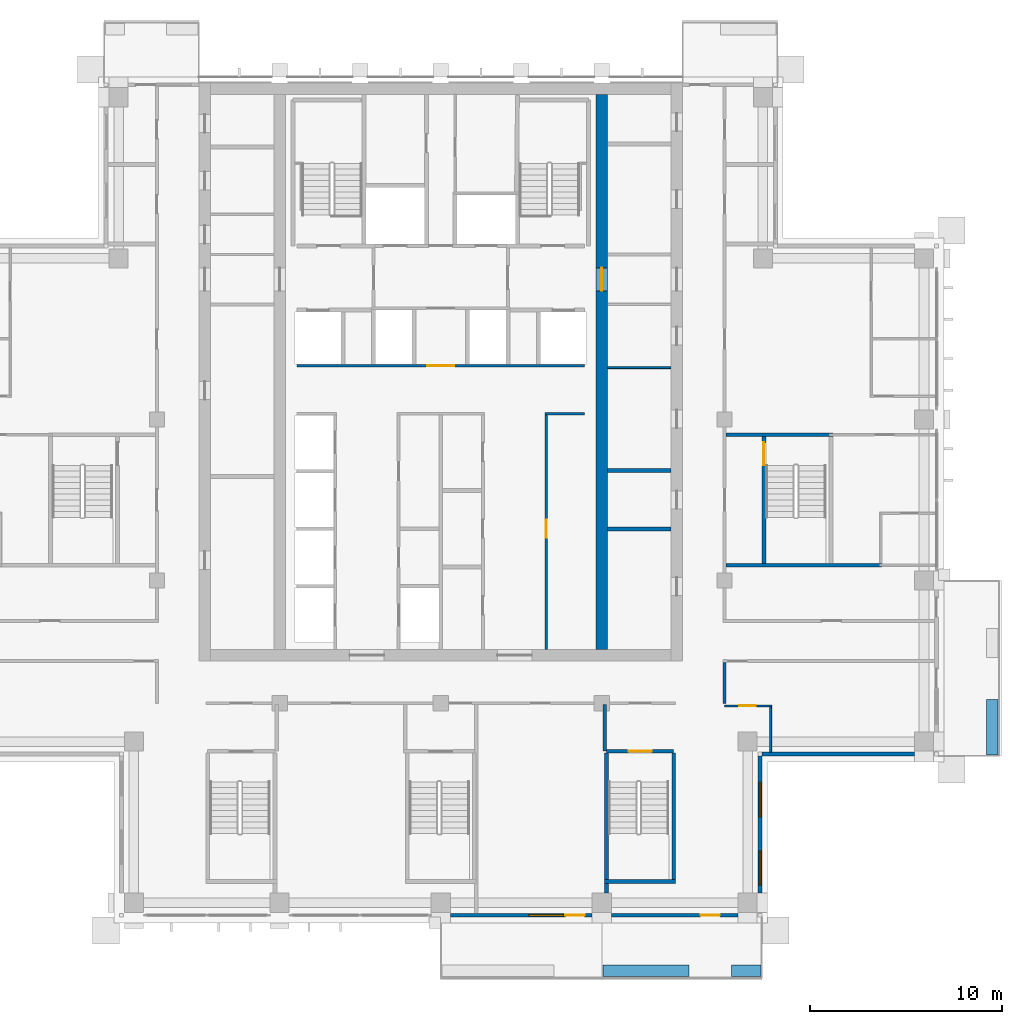
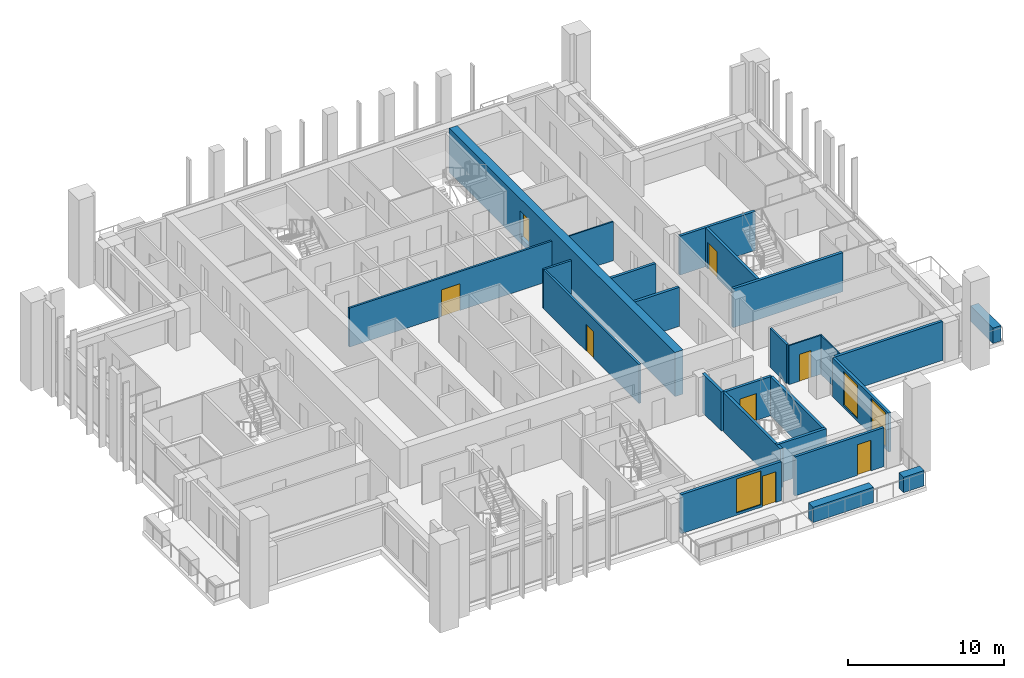
# One storey, part 10 of 18: 25 walls, 8 doors, 3 windows, 11 openings.
"""IFC4 building model written with IfcOpenShell, lengths in metres."""

from ifc_helpers import new_model, si_unit, direction, frame, frame_2d, origin, place, context, subcontext, project, spatial, rectangle, extrude, material, layer, layer_set, type_object, element, fill, save


model = new_model("IFC4")

# Units and contexts
model_context = context("Model", 3, precision=1e-05, world=origin(), true_north=direction((0.0, 1.0)))
body_context = subcontext(model_context, "Body", "Model", "MODEL_VIEW")
ifc_project = project(units=[si_unit("LENGTHUNIT", "METRE"), si_unit("AREAUNIT", "SQUARE_METRE"), si_unit("VOLUMEUNIT", "CUBIC_METRE"), si_unit("PLANEANGLEUNIT", "RADIAN"), si_unit("MASSUNIT", "GRAM", prefix="KILO")], contexts=[model_context])

# Site, building, storey
site_placement = place(None, origin())
site = spatial("IfcSite", under=ifc_project, at=site_placement, CompositionType="ELEMENT")
building_placement = place(site_placement, origin())
building = spatial("IfcBuilding", under=site, at=building_placement, Name="Vermilion Ogive Tower", CompositionType="ELEMENT")
storey_placement = place(building_placement, frame((0.0, 0.0, 185.89990234375)))
storey = spatial("IfcBuildingStorey", under=building, at=storey_placement, Name="L48", CompositionType="ELEMENT", Elevation=185.89990234375)

# Wall, opening, door
ifc_material_1 = material(Name="Concrete B60", Category="concrete")
ifc_layer_1 = layer(ifc_material_1, 0.60009765625)
ifc_layer_set_1 = layer_set([ifc_layer_1], Name="Core wall 600 B60")
wall_type_1 = type_object("IfcWallType", Name="Core wall 600 B60", PredefinedType="SHEAR", material=ifc_layer_set_1)
wall_1_placement = place(storey_placement, frame((8.39990234375, -7.800048828125, -0.39990234375), z_axis=(0.0, 0.0, 1.0), x_axis=(0.0, 1.0, 0.0)))
wall_1 = element("IfcWall", 1, at=wall_1_placement, inside=storey, type_object=wall_type_1, Name="L48-CORE-WEB2", PredefinedType="SHEAR", context=body_context, shape_type="SweptSolid", body=[
    extrude(rectangle(XDim=28.949951171875, YDim=0.60009765625, at=frame_2d((14.47509765625, 0.0))), origin(), (0.0, 0.0, 1.0), 3.449951171875),
])
opening_1_placement = place(wall_1_placement, frame((18.699951171875, 0.0, 0.39990234375)))
opening_1 = element("IfcOpeningElement", 2, at=opening_1_placement, cuts=wall_1, Name="Opening DAO014", PredefinedType="OPENING", context=body_context, shape_type="SweptSolid", body=[
    extrude(rectangle(XDim=1.199951171875, YDim=2.10009765625, at=frame_2d((0.60009765625, 1.050048828125))), frame((0.0, 0.31005859375, 0.0), z_axis=(0.0, -1.0, 0.0), x_axis=(1.0, 0.0, 0.0)), (0.0, 0.0, 1.0), 0.6201171875),
])
ifc_material_2 = material(Name="Timber door leaf", Category="wood")
door_type_1 = type_object("IfcDoorType", Name="Link door 1200 x 2100 FD60S", OperationType="SINGLE_SWING_LEFT", PredefinedType="DOOR", material=ifc_material_2)
door_1_placement = place(opening_1_placement, origin())
door_1 = element("IfcDoor", 3, at=door_1_placement, inside=storey, type_object=door_type_1, Name="L48-CKE-XW", OperationType="SINGLE_SWING_LEFT", OverallHeight=2.10009765625, OverallWidth=1.199951171875, PredefinedType="DOOR", context=body_context, shape_type="SweptSolid", body=[
    extrude(rectangle(XDim=1.199951171875, YDim=2.10009765625, at=frame_2d((0.60009765625, 1.050048828125))), frame((0.0, 0.02490234375, 0.0), z_axis=(0.0, -1.0, 0.0), x_axis=(1.0, 0.0, 0.0)), (0.0, 0.0, 1.0), 0.050048828125),
])
fill(opening_1, door_1)

ifc_material_3 = material(Name="Gypsum board partition on steel studs", Category="steel")
ifc_layer_2 = layer(ifc_material_3, 0.10009765625)
ifc_layer_set_2 = layer_set([ifc_layer_2], Name="Partition 100 bath")
wall_type_2 = type_object("IfcWallType", Name="Partition 100 bath", PredefinedType="PARTITIONING", material=ifc_layer_set_2)
wall_2_placement = place(storey_placement, frame((14.800048828125, -10.739990234375, 0.0), z_axis=(0.0, 0.0, 1.0), x_axis=(1.0, 0.0, 0.0)))
wall_2 = element("IfcWall", 4, at=wall_2_placement, inside=storey, type_object=wall_type_2, Name="L48-W-W005", PredefinedType="PARTITIONING", context=body_context, shape_type="SweptSolid", body=[
    extrude(rectangle(XDim=2.449951171875, YDim=0.10009765625, at=frame_2d((1.22509765625, 0.0))), origin(), (0.0, 0.0, 1.0), 3.050048828125),
])
opening_2_placement = place(wall_2_placement, frame((0.77490234375, 0.0, 0.0)))
opening_2 = element("IfcOpeningElement", 5, at=opening_2_placement, cuts=wall_2, Name="Opening D4G2012", PredefinedType="OPENING", context=body_context, shape_type="SweptSolid", body=[
    extrude(rectangle(XDim=0.85009765625, YDim=2.10009765625, at=frame_2d((0.425048828125, 1.050048828125))), frame((0.0, 0.06005859375, 0.0), z_axis=(0.0, -1.0, 0.0), x_axis=(1.0, 0.0, 0.0)), (0.0, 0.0, 1.0), 0.1201171875),
])
ifc_material_4 = material(Name="Timber door leaf", Category="wood")
door_type_2 = type_object("IfcDoorType", Name="Bath door 850 x 2100 FD30", OperationType="SINGLE_SWING_LEFT", PredefinedType="DOOR", material=ifc_material_4)
door_2_placement = place(opening_2_placement, origin())
door_2 = element("IfcDoor", 6, at=door_2_placement, inside=storey, type_object=door_type_2, Name="L48-D-D012", OperationType="SINGLE_SWING_RIGHT", OverallHeight=2.10009765625, OverallWidth=0.85009765625, PredefinedType="DOOR", context=body_context, shape_type="SweptSolid", body=[
    extrude(rectangle(XDim=0.85009765625, YDim=2.10009765625, at=frame_2d((0.425048828125, 1.050048828125))), frame((0.0, 0.02490234375, 0.0), z_axis=(0.0, -1.0, 0.0), x_axis=(1.0, 0.0, 0.0)), (0.0, 0.0, 1.0), 0.050048828125),
])
fill(opening_2, door_2)

# Walls
wall_3_placement = place(storey_placement, frame((17.199951171875, -13.14990234375, 0.0), z_axis=(0.0, 0.0, 1.0), x_axis=(0.0, 1.0, 0.0)))
element("IfcWall", 7, at=wall_3_placement, inside=storey, type_object=wall_type_2, Name="L48-W-W044", PredefinedType="PARTITIONING", context=body_context, shape_type="SweptSolid", body=[
    extrude(rectangle(XDim=2.35986328125, YDim=0.10009765625, at=frame_2d((1.179931640625, 0.0))), origin(), (0.0, 0.0, 1.0), 3.050048828125),
])
wall_4_placement = place(storey_placement, frame((8.700927734375, 6.904052734375, 0.0), z_axis=(0.0, 0.0, 1.0), x_axis=(1.0, 0.0, 0.0)))
element("IfcWall", 8, at=wall_4_placement, inside=storey, type_object=wall_type_2, Name="L48-CKE-W-W003", PredefinedType="PARTITIONING", context=body_context, shape_type="SweptSolid", body=[
    extrude(rectangle(XDim=3.298095703125, YDim=0.10009765625, at=frame_2d((1.64892578125, 0.0))), origin(), (0.0, 0.0, 1.0), 3.050048828125),
])
ifc_material_5 = material(Name="Gypsum board partition on steel studs", Category="steel")
ifc_layer_3 = layer(ifc_material_5, 0.14990234375)
ifc_layer_set_3 = layer_set([ifc_layer_3], Name="Partition 150 corridor")
wall_type_3 = type_object("IfcWallType", Name="Partition 150 corridor", PredefinedType="PARTITIONING", material=ifc_layer_set_3)
wall_5_placement = place(storey_placement, frame((14.800048828125, -10.60009765625, 0.0), z_axis=(0.0, 0.0, 1.0), x_axis=(0.0, 1.0, 0.0)))
element("IfcWall", 9, at=wall_5_placement, inside=storey, type_object=wall_type_3, Name="L48-W-W041", PredefinedType="PARTITIONING", context=body_context, shape_type="SweptSolid", body=[
    extrude(rectangle(XDim=2.125, YDim=0.14990234375, at=frame_2d((1.0625, 0.0))), origin(), (0.0, 0.0, 1.0), 3.050048828125),
])
wall_6_placement = place(storey_placement, frame((5.425048828125, 4.5, 0.0), z_axis=(0.0, 0.0, 1.0), x_axis=(1.0, 0.0, 0.0)))
element("IfcWall", 10, at=wall_6_placement, inside=storey, type_object=wall_type_3, Name="L48-CK-W-W010", PredefinedType="PARTITIONING", context=body_context, shape_type="SweptSolid", body=[
    extrude(rectangle(XDim=2.074951171875, YDim=0.14990234375, at=frame_2d((1.03759765625, 0.0))), origin(), (0.0, 0.0, 1.0), 3.050048828125),
])

# Wall, opening, door
wall_7_placement = place(storey_placement, frame((-7.5, 7.0, 0.0), z_axis=(0.0, 0.0, 1.0), x_axis=(1.0, 0.0, 0.0)))
wall_7 = element("IfcWall", 11, at=wall_7_placement, inside=storey, type_object=wall_type_3, Name="L48-CK-W-W011", PredefinedType="PARTITIONING", context=body_context, shape_type="SweptSolid", body=[
    extrude(rectangle(XDim=15.0, YDim=0.14990234375, at=frame_2d((7.5, 0.0))), origin(), (0.0, 0.0, 1.0), 3.050048828125),
])
opening_3_placement = place(wall_7_placement, frame((6.800048828125, 0.0, 0.0)))
opening_3 = element("IfcOpeningElement", 12, at=opening_3_placement, cuts=wall_7, Name="Opening DAA421", PredefinedType="OPENING", context=body_context, shape_type="SweptSolid", body=[
    extrude(rectangle(XDim=1.39990234375, YDim=2.10009765625, at=frame_2d((0.699951171875, 1.050048828125))), frame((0.0, 0.0849609375, 0.0), z_axis=(0.0, -1.0, 0.0), x_axis=(1.0, 0.0, 0.0)), (0.0, 0.0, 1.0), 0.169921875),
])
ifc_material_6 = material(Name="Timber door leaf", Category="wood")
door_type_3 = type_object("IfcDoorType", Name="Lobby door 1400 x 2100 FD60S", OperationType="SINGLE_SWING_LEFT", PredefinedType="DOOR", material=ifc_material_6)
door_3_placement = place(opening_3_placement, origin())
door_3 = element("IfcDoor", 13, at=door_3_placement, inside=storey, type_object=door_type_3, Name="L48-CK-D-D016", OperationType="SINGLE_SWING_RIGHT", OverallHeight=2.10009765625, OverallWidth=1.39990234375, PredefinedType="DOOR", context=body_context, shape_type="SweptSolid", body=[
    extrude(rectangle(XDim=1.39990234375, YDim=2.10009765625, at=frame_2d((0.699951171875, 1.050048828125))), frame((0.0, 0.02490234375, 0.0), z_axis=(0.0, -1.0, 0.0), x_axis=(1.0, 0.0, 0.0)), (0.0, 0.0, 1.0), 0.050048828125),
])
fill(opening_3, door_3)

wall_8_placement = place(storey_placement, frame((5.5, -7.799072265625, 0.0), z_axis=(0.0, 0.0, 1.0), x_axis=(0.0, 1.0, 0.0)))
wall_8 = element("IfcWall", 14, at=wall_8_placement, inside=storey, type_object=wall_type_3, Name="L48-CK-W-W038", PredefinedType="PARTITIONING", context=body_context, shape_type="SweptSolid", body=[
    extrude(rectangle(XDim=12.22412109375, YDim=0.14990234375, at=frame_2d((6.112060546875, 0.0))), origin(), (0.0, 0.0, 1.0), 3.050048828125),
])
opening_4_placement = place(wall_8_placement, frame((5.823974609375, 0.0, 0.0)))
opening_4 = element("IfcOpeningElement", 15, at=opening_4_placement, cuts=wall_8, Name="Opening DAA429", PredefinedType="OPENING", context=body_context, shape_type="SweptSolid", body=[
    extrude(rectangle(XDim=0.949951171875, YDim=2.10009765625, at=frame_2d((0.47509765625, 1.050048828125))), frame((0.0, 0.0849609375, 0.0), z_axis=(0.0, -1.0, 0.0), x_axis=(1.0, 0.0, 0.0)), (0.0, 0.0, 1.0), 0.169921875),
])
ifc_material_7 = material(Name="Timber door leaf", Category="wood")
door_type_4 = type_object("IfcDoorType", Name="Service door 950 x 2100 FD60", OperationType="SINGLE_SWING_LEFT", PredefinedType="DOOR", material=ifc_material_7)
door_4_placement = place(opening_4_placement, origin())
door_4 = element("IfcDoor", 16, at=door_4_placement, inside=storey, type_object=door_type_4, Name="L48-CK-D-D011", OperationType="SINGLE_SWING_LEFT", OverallHeight=2.10009765625, OverallWidth=0.949951171875, PredefinedType="DOOR", context=body_context, shape_type="SweptSolid", body=[
    extrude(rectangle(XDim=0.949951171875, YDim=2.10009765625, at=frame_2d((0.47509765625, 1.050048828125))), frame((0.0, 0.02490234375, 0.0), z_axis=(0.0, -1.0, 0.0), x_axis=(1.0, 0.0, 0.0)), (0.0, 0.0, 1.0), 0.050048828125),
])
fill(opening_4, door_4)

# Walls
ifc_material_8 = material(Name="Gypsum board partition on steel studs", Category="steel")
ifc_layer_4 = layer(ifc_material_8, 0.199951171875)
ifc_layer_set_4 = layer_set([ifc_layer_4], Name="Partition 200 party")
wall_type_4 = type_object("IfcWallType", Name="Partition 200 party", PredefinedType="PARTITIONING", material=ifc_layer_set_4)
wall_9_placement = place(storey_placement, frame((8.550048828125, -13.10009765625, 0.0), z_axis=(0.0, 0.0, 1.0), x_axis=(0.0, 1.0, 0.0)))
element("IfcWall", 17, at=wall_9_placement, inside=storey, type_object=wall_type_4, Name="L48-W-W040", PredefinedType="PARTITIONING", context=body_context, shape_type="SweptSolid", body=[
    extrude(rectangle(XDim=2.425048828125, YDim=0.199951171875, at=frame_2d((1.21240234375, 0.0))), origin(), (0.0, 0.0, 1.0), 3.050048828125),
])
for number, where, z_axis, x_axis, name in (
    (18, (8.700927734375, -1.51904296875, 0.0), (0.0, 0.0, 1.0), (1.0, 0.0, 0.0), "L48-CKE-W-W001"),
    (19, (8.700927734375, 1.532958984375, 0.0), (0.0, 0.0, 1.0), (1.0, 0.0, 0.0), "L48-CKE-W-W002"),
):
    element("IfcWall", number, at=place(storey_placement, frame(where, z_axis=z_axis, x_axis=x_axis)), inside=storey, type_object=wall_type_4, Name=name, PredefinedType="PARTITIONING", context=body_context, shape_type="SweptSolid", body=[
        extrude(rectangle(XDim=3.298095703125, YDim=0.199951171875, at=frame_2d((1.64892578125, 0.0))), origin(), (0.0, 0.0, 1.0), 3.050048828125),
    ])

# Wall, opening, door
ifc_material_9 = material(Name="Concrete B60", Category="concrete")
ifc_layer_5 = layer(ifc_material_9, 0.199951171875)
ifc_layer_set_5 = layer_set([ifc_layer_5], Name="Stair shaft wall 200 Concrete B60")
wall_type_5 = type_object("IfcWallType", Name="Stair shaft wall 200 Concrete B60", PredefinedType="SOLIDWALL", material=ifc_layer_set_5)
wall_10_placement = place(storey_placement, frame((8.64990234375, -13.10009765625, 0.0), z_axis=(0.0, 0.0, 1.0), x_axis=(1.0, 0.0, 0.0)))
wall_10 = element("IfcWall", 20, at=wall_10_placement, inside=storey, type_object=wall_type_5, Name="L48-W-W004", PredefinedType="SOLIDWALL", context=body_context, shape_type="SweptSolid", body=[
    extrude(rectangle(XDim=3.5, YDim=0.199951171875, at=frame_2d((1.75, 0.0))), origin(), (0.0, 0.0, 1.0), 3.050048828125),
])
opening_5_placement = place(wall_10_placement, frame((1.150146484375, 0.0, 0.0)))
opening_5 = element("IfcOpeningElement", 21, at=opening_5_placement, cuts=wall_10, Name="Opening D4G2025", PredefinedType="OPENING", context=body_context, shape_type="SweptSolid", body=[
    extrude(rectangle(XDim=1.199951171875, YDim=2.10009765625, at=frame_2d((0.60009765625, 1.050048828125))), frame((0.0, 0.10986328125, 0.0), z_axis=(0.0, -1.0, 0.0), x_axis=(1.0, 0.0, 0.0)), (0.0, 0.0, 1.0), 0.219970703125),
])
ifc_material_10 = material(Name="Timber door leaf", Category="wood")
door_type_5 = type_object("IfcDoorType", Name="Stair door 1200 x 2100 FD60S", OperationType="SINGLE_SWING_LEFT", PredefinedType="DOOR", material=ifc_material_10)
door_5_placement = place(opening_5_placement, origin())
door_5 = element("IfcDoor", 22, at=door_5_placement, inside=storey, type_object=door_type_5, Name="L48-D-D025", OperationType="SINGLE_SWING_RIGHT", OverallHeight=2.10009765625, OverallWidth=1.199951171875, PredefinedType="DOOR", context=body_context, shape_type="SweptSolid", body=[
    extrude(rectangle(XDim=1.199951171875, YDim=2.10009765625, at=frame_2d((0.60009765625, 1.050048828125))), frame((0.0, 0.02490234375, 0.0), z_axis=(0.0, -1.0, 0.0), x_axis=(1.0, 0.0, 0.0)), (0.0, 0.0, 1.0), 0.050048828125),
])
fill(opening_5, door_5)

# Walls
wall_11_placement = place(storey_placement, frame((14.875, -3.39990234375, 0.0), z_axis=(0.0, 0.0, 1.0), x_axis=(1.0, 0.0, 0.0)))
element("IfcWall", 23, at=wall_11_placement, inside=storey, type_object=wall_type_5, Name="L48-W-W013", PredefinedType="SOLIDWALL", context=body_context, shape_type="SweptSolid", body=[
    extrude(rectangle(XDim=8.125, YDim=0.199951171875, at=frame_2d((4.0625, 0.0))), origin(), (0.0, 0.0, 1.0), 3.050048828125),
])
wall_12_placement = place(storey_placement, frame((14.875, 3.39990234375, 0.0), z_axis=(0.0, 0.0, 1.0), x_axis=(1.0, 0.0, 0.0)))
element("IfcWall", 24, at=wall_12_placement, inside=storey, type_object=wall_type_5, Name="L48-W-W019", PredefinedType="SOLIDWALL", context=body_context, shape_type="SweptSolid", body=[
    extrude(rectangle(XDim=5.574951171875, YDim=0.199951171875, at=frame_2d((2.78759765625, 0.0))), origin(), (0.0, 0.0, 1.0), 3.050048828125),
])

# Wall, opening, door
wall_13_placement = place(storey_placement, frame((16.85009765625, -3.300048828125, 0.0), z_axis=(0.0, 0.0, 1.0), x_axis=(0.0, 1.0, 0.0)))
wall_13 = element("IfcWall", 25, at=wall_13_placement, inside=storey, type_object=wall_type_5, Name="L48-W-W043", PredefinedType="SOLIDWALL", context=body_context, shape_type="SweptSolid", body=[
    extrude(rectangle(XDim=6.60009765625, YDim=0.199951171875, at=frame_2d((3.300048828125, 0.0))), origin(), (0.0, 0.0, 1.0), 3.050048828125),
])
opening_6_placement = place(wall_13_placement, frame((5.10009765625, 0.0, 0.0)))
opening_6 = element("IfcOpeningElement", 26, at=opening_6_placement, cuts=wall_13, Name="Opening D4G2027", PredefinedType="OPENING", context=body_context, shape_type="SweptSolid", body=[
    extrude(rectangle(XDim=1.199951171875, YDim=2.10009765625, at=frame_2d((0.60009765625, 1.050048828125))), frame((0.0, 0.10986328125, 0.0), z_axis=(0.0, -1.0, 0.0), x_axis=(1.0, 0.0, 0.0)), (0.0, 0.0, 1.0), 0.219970703125),
])
door_6_placement = place(opening_6_placement, origin())
door_6 = element("IfcDoor", 27, at=door_6_placement, inside=storey, type_object=door_type_5, Name="L48-D-D027", OperationType="SINGLE_SWING_LEFT", OverallHeight=2.10009765625, OverallWidth=1.199951171875, PredefinedType="DOOR", context=body_context, shape_type="SweptSolid", body=[
    extrude(rectangle(XDim=1.199951171875, YDim=2.10009765625, at=frame_2d((0.60009765625, 1.050048828125))), frame((0.0, 0.02490234375, 0.0), z_axis=(0.0, -1.0, 0.0), x_axis=(1.0, 0.0, 0.0)), (0.0, 0.0, 1.0), 0.050048828125),
])
fill(opening_6, door_6)

# Walls
wall_14_placement = place(storey_placement, frame((8.550048828125, -19.89990234375, 0.0), z_axis=(0.0, 0.0, 1.0), x_axis=(1.0, 0.0, 0.0)))
element("IfcWall", 28, at=wall_14_placement, inside=storey, type_object=wall_type_5, Name="L48-SW-ST5-S1", PredefinedType="SOLIDWALL", context=body_context, shape_type="SweptSolid", body=[
    extrude(rectangle(XDim=3.699951171875, YDim=0.199951171875, at=frame_2d((1.85009765625, 0.0))), origin(), (0.0, 0.0, 1.0), 3.050048828125),
])
wall_15_placement = place(storey_placement, frame((12.14990234375, -19.800048828125, 0.0), z_axis=(0.0, 0.0, 1.0), x_axis=(0.0, 1.0, 0.0)))
element("IfcWall", 29, at=wall_15_placement, inside=storey, type_object=wall_type_5, Name="L48-SW-ST5-E1", PredefinedType="SOLIDWALL", context=body_context, shape_type="SweptSolid", body=[
    extrude(rectangle(XDim=6.60009765625, YDim=0.199951171875, at=frame_2d((3.300048828125, 0.0))), origin(), (0.0, 0.0, 1.0), 3.050048828125),
])
wall_16_placement = place(storey_placement, frame((8.64990234375, -20.5, 0.0), z_axis=(0.0, 0.0, 1.0), x_axis=(0.0, 1.0, 0.0)))
element("IfcWall", 30, at=wall_16_placement, inside=storey, type_object=wall_type_5, Name="L48-SW-ST5-W1-A", PredefinedType="SOLIDWALL", context=body_context, shape_type="SweptSolid", body=[
    extrude(rectangle(XDim=7.298095703125, YDim=0.199951171875, at=frame_2d((3.64892578125, 0.0))), origin(), (0.0, 0.0, 1.0), 3.050048828125),
])
ifc_material_11 = material(Name="Concrete B40", Category="concrete")
ifc_layer_6 = layer(ifc_material_11, 0.60009765625)
ifc_layer_set_6 = layer_set([ifc_layer_6], Name="Structural planter")
wall_type_6 = type_object("IfcWallType", Name="Structural planter", PredefinedType="USERDEFINED", material=ifc_layer_set_6)
wall_17_placement = place(storey_placement, frame((8.4599609375, -24.550048828125, -0.039794921875), z_axis=(0.0, 0.0, 1.0), x_axis=(1.0, 0.0, 0.0)))
element("IfcWall", 31, at=wall_17_placement, inside=storey, type_object=wall_type_6, Name="Planter S04A1", ObjectType="PLANTER", PredefinedType="USERDEFINED", context=body_context, shape_type="SweptSolid", body=[
    extrude(rectangle(XDim=4.489990234375, YDim=0.60009765625, at=frame_2d((2.2451171875, 0.0))), origin(), (0.0, 0.0, 1.0), 1.199951171875),
])
wall_18_placement = place(storey_placement, frame((15.14990234375, -24.550048828125, -0.039794921875), z_axis=(0.0, 0.0, 1.0), x_axis=(1.0, 0.0, 0.0)))
element("IfcWall", 32, at=wall_18_placement, inside=storey, type_object=wall_type_6, Name="Planter S04A2", ObjectType="PLANTER", PredefinedType="USERDEFINED", context=body_context, shape_type="SweptSolid", body=[
    extrude(rectangle(XDim=1.5400390625, YDim=0.60009765625, at=frame_2d((0.77001953125, 0.0))), origin(), (0.0, 0.0, 1.0), 1.199951171875),
])
wall_19_placement = place(storey_placement, frame((28.75, -13.2900390625, -0.039794921875), z_axis=(0.0, 0.0, 1.0), x_axis=(0.0, 1.0, 0.0)))
element("IfcWall", 33, at=wall_19_placement, inside=storey, type_object=wall_type_6, Name="Planter E01A1", ObjectType="PLANTER", PredefinedType="USERDEFINED", context=body_context, shape_type="SweptSolid", body=[
    extrude(rectangle(XDim=2.89013671875, YDim=0.60009765625, at=frame_2d((1.445068359375, 0.0))), origin(), (0.0, 0.0, 1.0), 1.199951171875),
])

# Wall, openings, door, window
ifc_material_12 = material(Name="Aluminium window wall framing", Category="aluminium")
ifc_layer_7 = layer(ifc_material_12, 0.199951171875)
ifc_layer_set_7 = layer_set([ifc_layer_7], Name="Window wall")
wall_type_7 = type_object("IfcWallType", Name="Window wall", PredefinedType="STANDARD", material=ifc_layer_set_7)
wall_20_placement = place(storey_placement, frame((0.5, -21.64990234375, 0.0), z_axis=(0.0, 0.0, 1.0), x_axis=(1.0, 0.0, 0.0)))
wall_20 = element("IfcWall", 34, at=wall_20_placement, inside=storey, type_object=wall_type_7, Name="Window wall S3", PredefinedType="STANDARD", context=body_context, shape_type="SweptSolid", body=[
    extrude(rectangle(XDim=7.39990234375, YDim=0.199951171875, at=frame_2d((3.699951171875, 0.0))), origin(), (0.0, 0.0, 1.0), 3.050048828125),
])
opening_7_placement = place(wall_20_placement, frame((4.10009765625, 0.0, 0.199951171875)))
opening_7 = element("IfcOpeningElement", 35, at=opening_7_placement, cuts=wall_20, Name="Opening W1-S01", PredefinedType="OPENING", context=body_context, shape_type="SweptSolid", body=[
    extrude(rectangle(XDim=1.800048828125, YDim=2.64990234375, at=frame_2d((0.89990234375, 1.324951171875))), frame((0.0, 0.10986328125, 0.0), z_axis=(0.0, -1.0, 0.0), x_axis=(1.0, 0.0, 0.0)), (0.0, 0.0, 1.0), 0.219970703125),
])
opening_8_placement = place(wall_20_placement, frame((6.0, 0.0, 0.0)))
opening_8 = element("IfcOpeningElement", 36, at=opening_8_placement, cuts=wall_20, Name="Opening D1-S01", PredefinedType="OPENING", context=body_context, shape_type="SweptSolid", body=[
    extrude(rectangle(XDim=1.0, YDim=2.39990234375, at=frame_2d((0.5, 1.199951171875))), frame((0.0, 0.10986328125, 0.0), z_axis=(0.0, -1.0, 0.0), x_axis=(1.0, 0.0, 0.0)), (0.0, 0.0, 1.0), 0.219970703125),
])
ifc_material_13 = material(Name="Aluminium framed glazed door", Category="aluminium")
door_type_6 = type_object("IfcDoorType", Name="Balcony door D1", OperationType="SINGLE_SWING_LEFT", PredefinedType="DOOR", material=ifc_material_13)
door_7_placement = place(opening_8_placement, origin())
door_7 = element("IfcDoor", 37, at=door_7_placement, inside=storey, type_object=door_type_6, Name="Balcony door S01", OperationType="SINGLE_SWING_LEFT", OverallHeight=2.39990234375, OverallWidth=1.0, PredefinedType="DOOR", context=body_context, shape_type="SweptSolid", body=[
    extrude(rectangle(XDim=1.0, YDim=2.39990234375, at=frame_2d((0.5, 1.199951171875))), frame((0.0, 0.02490234375, 0.0), z_axis=(0.0, -1.0, 0.0), x_axis=(1.0, 0.0, 0.0)), (0.0, 0.0, 1.0), 0.050048828125),
])
fill(opening_8, door_7)
ifc_material_14 = material(Name="Aluminium framed double glazing", Category="aluminium")
window_type = type_object("IfcWindowType", Name="Guest window W1", PartitioningType="SINGLE_PANEL", PredefinedType="WINDOW", material=ifc_material_14)
window_1_placement = place(opening_7_placement, origin())
window_1 = element("IfcWindow", 38, at=window_1_placement, inside=storey, type_object=window_type, Name="Window S01", OverallHeight=2.64990234375, OverallWidth=1.800048828125, PartitioningType="SINGLE_PANEL", PredefinedType="WINDOW", context=body_context, shape_type="SweptSolid", body=[
    extrude(rectangle(XDim=1.800048828125, YDim=2.64990234375, at=frame_2d((0.89990234375, 1.324951171875))), frame((0.0, 0.030029296875, 0.0), z_axis=(0.0, -1.0, 0.0), x_axis=(1.0, 0.0, 0.0)), (0.0, 0.0, 1.0), 0.06005859375),
])
fill(opening_7, window_1)

# Wall, opening, door
wall_21_placement = place(storey_placement, frame((8.89990234375, -21.64990234375, 0.0), z_axis=(0.0, 0.0, 1.0), x_axis=(1.0, 0.0, 0.0)))
wall_21 = element("IfcWall", 39, at=wall_21_placement, inside=storey, type_object=wall_type_7, Name="Window wall S4", PredefinedType="STANDARD", context=body_context, shape_type="SweptSolid", body=[
    extrude(rectangle(XDim=6.60009765625, YDim=0.199951171875, at=frame_2d((3.300048828125, 0.0))), origin(), (0.0, 0.0, 1.0), 3.050048828125),
])
opening_9_placement = place(wall_21_placement, frame((4.64990234375, 0.0, 0.0)))
opening_9 = element("IfcOpeningElement", 40, at=opening_9_placement, cuts=wall_21, Name="Opening D1-S03K", PredefinedType="OPENING", context=body_context, shape_type="SweptSolid", body=[
    extrude(rectangle(XDim=1.0, YDim=2.39990234375, at=frame_2d((0.5, 1.199951171875))), frame((0.0, 0.10986328125, 0.0), z_axis=(0.0, -1.0, 0.0), x_axis=(1.0, 0.0, 0.0)), (0.0, 0.0, 1.0), 0.219970703125),
])
door_8_placement = place(opening_9_placement, origin())
door_8 = element("IfcDoor", 41, at=door_8_placement, inside=storey, type_object=door_type_6, Name="Balcony door S03K", OperationType="SINGLE_SWING_LEFT", OverallHeight=2.39990234375, OverallWidth=1.0, PredefinedType="DOOR", context=body_context, shape_type="SweptSolid", body=[
    extrude(rectangle(XDim=1.0, YDim=2.39990234375, at=frame_2d((0.5, 1.199951171875))), frame((0.0, 0.02490234375, 0.0), z_axis=(0.0, -1.0, 0.0), x_axis=(1.0, 0.0, 0.0)), (0.0, 0.0, 1.0), 0.050048828125),
])
fill(opening_9, door_8)

# Wall, openings, windows
wall_22_placement = place(storey_placement, frame((16.64990234375, -20.5, 0.0), z_axis=(0.0, 0.0, 1.0), x_axis=(0.0, 1.0, 0.0)))
wall_22 = element("IfcWall", 42, at=wall_22_placement, inside=storey, type_object=wall_type_7, Name="Window wall X11", PredefinedType="STANDARD", context=body_context, shape_type="SweptSolid", body=[
    extrude(rectangle(XDim=7.14990234375, YDim=0.199951171875, at=frame_2d((3.574951171875, 0.0))), origin(), (0.0, 0.0, 1.0), 3.050048828125),
])
opening_10_placement = place(wall_22_placement, frame((0.39990234375, 0.0, 0.199951171875)))
opening_10 = element("IfcOpeningElement", 43, at=opening_10_placement, cuts=wall_22, Name="Opening W1-X195", PredefinedType="OPENING", context=body_context, shape_type="SweptSolid", body=[
    extrude(rectangle(XDim=1.800048828125, YDim=2.64990234375, at=frame_2d((0.89990234375, 1.324951171875))), frame((0.0, 0.10986328125, 0.0), z_axis=(0.0, -1.0, 0.0), x_axis=(1.0, 0.0, 0.0)), (0.0, 0.0, 1.0), 0.219970703125),
])
opening_11_placement = place(wall_22_placement, frame((3.97509765625, 0.0, 0.199951171875)))
opening_11 = element("IfcOpeningElement", 44, at=opening_11_placement, cuts=wall_22, Name="Opening W1-X196", PredefinedType="OPENING", context=body_context, shape_type="SweptSolid", body=[
    extrude(rectangle(XDim=1.800048828125, YDim=2.64990234375, at=frame_2d((0.89990234375, 1.324951171875))), frame((0.0, 0.10986328125, 0.0), z_axis=(0.0, -1.0, 0.0), x_axis=(1.0, 0.0, 0.0)), (0.0, 0.0, 1.0), 0.219970703125),
])
window_2_placement = place(opening_10_placement, origin())
window_2 = element("IfcWindow", 45, at=window_2_placement, inside=storey, type_object=window_type, Name="Window X195", OverallHeight=2.64990234375, OverallWidth=1.800048828125, PartitioningType="SINGLE_PANEL", PredefinedType="WINDOW", context=body_context, shape_type="SweptSolid", body=[
    extrude(rectangle(XDim=1.800048828125, YDim=2.64990234375, at=frame_2d((0.89990234375, 1.324951171875))), frame((0.0, 0.030029296875, 0.0), z_axis=(0.0, -1.0, 0.0), x_axis=(1.0, 0.0, 0.0)), (0.0, 0.0, 1.0), 0.06005859375),
])
fill(opening_10, window_2)
window_3_placement = place(opening_11_placement, origin())
window_3 = element("IfcWindow", 46, at=window_3_placement, inside=storey, type_object=window_type, Name="Window X196", OverallHeight=2.64990234375, OverallWidth=1.800048828125, PartitioningType="SINGLE_PANEL", PredefinedType="WINDOW", context=body_context, shape_type="SweptSolid", body=[
    extrude(rectangle(XDim=1.800048828125, YDim=2.64990234375, at=frame_2d((0.89990234375, 1.324951171875))), frame((0.0, 0.030029296875, 0.0), z_axis=(0.0, -1.0, 0.0), x_axis=(1.0, 0.0, 0.0)), (0.0, 0.0, 1.0), 0.06005859375),
])
fill(opening_11, window_3)

# Wall
wall_23_placement = place(storey_placement, frame((16.75, -13.25, 0.0), z_axis=(0.0, 0.0, 1.0), x_axis=(1.0, 0.0, 0.0)))
element("IfcWall", 47, at=wall_23_placement, inside=storey, type_object=wall_type_7, Name="Window wall X21", PredefinedType="STANDARD", context=body_context, shape_type="SweptSolid", body=[
    extrude(rectangle(XDim=7.949951171875, YDim=0.199951171875, at=frame_2d((3.97509765625, 0.0))), origin(), (0.0, 0.0, 1.0), 3.050048828125),
])

save(model, "model.ifc")
